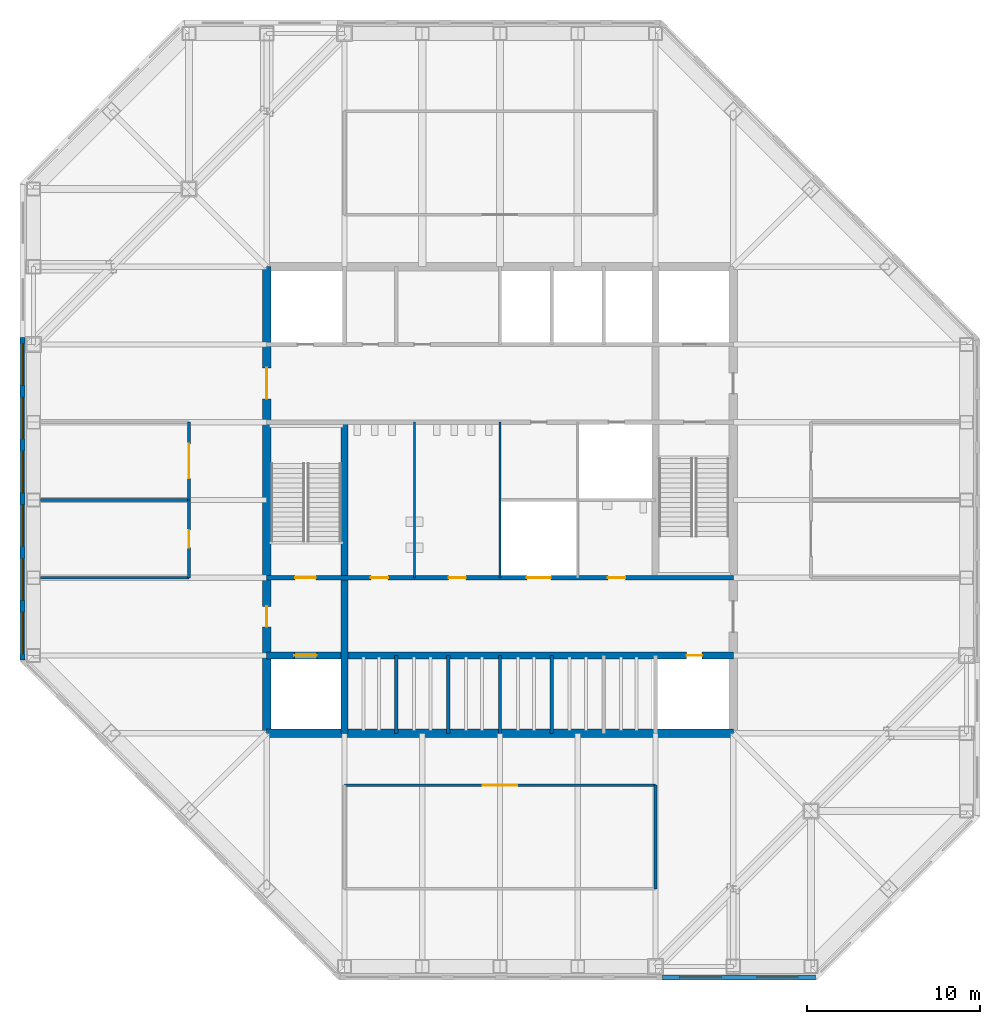
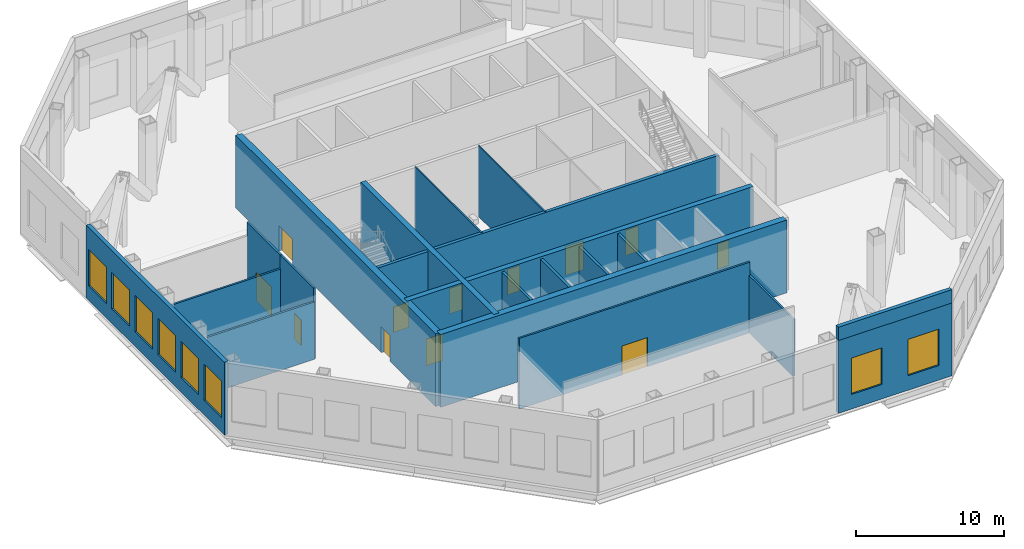
# One storey, part 5 of 10: 20 walls, 12 doors, 8 windows, 20 openings.
"""IFC4 building model written with IfcOpenShell, lengths in metres."""

from ifc_helpers import new_model, si_unit, direction, frame, frame_2d, origin, place, context, subcontext, project, spatial, rectangle, extrude, material, layer, layer_set, type_object, element, fill, save


model = new_model("IFC4")

# Units and contexts
model_context = context("Model", 3, precision=1e-05, world=origin(), true_north=direction((0.0, 1.0)))
body_context = subcontext(model_context, "Body", "Model", "MODEL_VIEW")
ifc_project = project(units=[si_unit("LENGTHUNIT", "METRE"), si_unit("AREAUNIT", "SQUARE_METRE"), si_unit("VOLUMEUNIT", "CUBIC_METRE"), si_unit("PLANEANGLEUNIT", "RADIAN"), si_unit("MASSUNIT", "GRAM", prefix="KILO")], contexts=[model_context])

# Site, building, storey
site_placement = place(None, origin())
site = spatial("IfcSite", under=ifc_project, at=site_placement, CompositionType="ELEMENT")
building_placement = place(site_placement, origin())
building = spatial("IfcBuilding", under=site, at=building_placement, Name="Corais Broadcast Tower", CompositionType="ELEMENT")
storey_placement = place(building_placement, frame((0.0, 0.0, 199.60009765625)))
storey = spatial("IfcBuildingStorey", under=building, at=storey_placement, Name="L46", CompositionType="ELEMENT", Elevation=199.60009765625)

# Wall, openings, doors
ifc_material_1 = material(Name="Concrete blockwork class A, grouted, two-hour", Category="masonry")
ifc_layer_1 = layer(ifc_material_1, 0.25)
ifc_layer_set_1 = layer_set([ifc_layer_1], Name="Concrete blockwork class A, grouted, two-hour")
wall_type_1 = type_object("IfcWallType", Name="Core lobby wall 250", PredefinedType="SOLIDWALL", material=ifc_layer_set_1)
wall_1_placement = place(storey_placement, frame((13.5, 22.5, 0.0), z_axis=(0.0, 0.0, 1.0), x_axis=(1.0, 0.0, 0.0)))
wall_1 = element("IfcWall", 1, at=wall_1_placement, inside=storey, type_object=wall_type_1, Name="CL2 core lobby wall Y225 L46", PredefinedType="SOLIDWALL", context=body_context, shape_type="SweptSolid", body=[
    extrude(rectangle(XDim=27.0, YDim=0.25, at=frame_2d((13.5, 0.0))), origin(), (0.0, 0.0, 1.0), 5.81982421875),
])
opening_1_placement = place(wall_1_placement, frame((1.64990234375, 0.0, 0.0)))
opening_1 = element("IfcOpeningElement", 2, at=opening_1_placement, cuts=wall_1, Name="Opening FD1", PredefinedType="OPENING", context=body_context, shape_type="SweptSolid", body=[
    extrude(rectangle(XDim=1.199951171875, YDim=2.10009765625, at=frame_2d((0.60009765625, 1.050048828125))), frame((0.0, 0.135009765625, 0.0), z_axis=(0.0, -1.0, 0.0), x_axis=(1.0, 0.0, 0.0)), (0.0, 0.0, 1.0), 0.27001953125),
])
opening_2_placement = place(wall_1_placement, frame((6.02490234375, 0.0, 0.0)))
opening_2 = element("IfcOpeningElement", 3, at=opening_2_placement, cuts=wall_1, Name="Opening WD1", PredefinedType="OPENING", context=body_context, shape_type="SweptSolid", body=[
    extrude(rectangle(XDim=1.0, YDim=2.10009765625, at=frame_2d((0.5, 1.050048828125))), frame((0.0, 0.135009765625, 0.0), z_axis=(0.0, -1.0, 0.0), x_axis=(1.0, 0.0, 0.0)), (0.0, 0.0, 1.0), 0.27001953125),
])
opening_3_placement = place(wall_1_placement, frame((10.52490234375, 0.0, 0.0)))
opening_3 = element("IfcOpeningElement", 4, at=opening_3_placement, cuts=wall_1, Name="Opening WD1", PredefinedType="OPENING", context=body_context, shape_type="SweptSolid", body=[
    extrude(rectangle(XDim=1.0, YDim=2.10009765625, at=frame_2d((0.5, 1.050048828125))), frame((0.0, 0.135009765625, 0.0), z_axis=(0.0, -1.0, 0.0), x_axis=(1.0, 0.0, 0.0)), (0.0, 0.0, 1.0), 0.27001953125),
])
opening_4_placement = place(wall_1_placement, frame((19.75, 0.0, 0.0)))
opening_4 = element("IfcOpeningElement", 5, at=opening_4_placement, cuts=wall_1, Name="Opening WD1", PredefinedType="OPENING", context=body_context, shape_type="SweptSolid", body=[
    extrude(rectangle(XDim=1.0, YDim=2.10009765625, at=frame_2d((0.5, 1.050048828125))), frame((0.0, 0.135009765625, 0.0), z_axis=(0.0, -1.0, 0.0), x_axis=(1.0, 0.0, 0.0)), (0.0, 0.0, 1.0), 0.27001953125),
])
opening_5_placement = place(wall_1_placement, frame((15.050048828125, 0.0, 0.0)))
opening_5 = element("IfcOpeningElement", 6, at=opening_5_placement, cuts=wall_1, Name="Opening LD3", PredefinedType="OPENING", context=body_context, shape_type="SweptSolid", body=[
    extrude(rectangle(XDim=1.39990234375, YDim=2.39990234375, at=frame_2d((0.699951171875, 1.199951171875))), frame((0.0, 0.135009765625, 0.0), z_axis=(0.0, -1.0, 0.0), x_axis=(1.0, 0.0, 0.0)), (0.0, 0.0, 1.0), 0.27001953125),
])
ifc_material_2 = material(Name="Steel fire door", Category="steel")
door_type_1 = type_object("IfcDoorType", Name="Fire door 1200x2100", OperationType="SINGLE_SWING_LEFT", PredefinedType="DOOR", material=ifc_material_2)
door_1_placement = place(opening_1_placement, origin())
door_1 = element("IfcDoor", 7, at=door_1_placement, inside=storey, type_object=door_type_1, Name="FD1 stair A door L46", OperationType="SINGLE_SWING_LEFT", OverallHeight=2.10009765625, OverallWidth=1.199951171875, PredefinedType="DOOR", context=body_context, shape_type="SweptSolid", body=[
    extrude(rectangle(XDim=1.199951171875, YDim=2.10009765625, at=frame_2d((0.60009765625, 1.050048828125))), frame((0.0, 0.02490234375, 0.0), z_axis=(0.0, -1.0, 0.0), x_axis=(1.0, 0.0, 0.0)), (0.0, 0.0, 1.0), 0.050048828125),
])
fill(opening_1, door_1)
ifc_material_3 = material(Name="Stainless steel lift door", Category="steel")
door_type_2 = type_object("IfcDoorType", Name="Service lift landing door 1400x2400", OperationType="SLIDING_TO_LEFT", PredefinedType="DOOR", material=ifc_material_3)
door_2_placement = place(opening_5_placement, origin())
door_2 = element("IfcDoor", 8, at=door_2_placement, inside=storey, type_object=door_type_2, Name="LD3 SL1 landing door L46", OperationType="SLIDING_TO_LEFT", OverallHeight=2.39990234375, OverallWidth=1.39990234375, PredefinedType="DOOR", context=body_context, shape_type="SweptSolid", body=[
    extrude(rectangle(XDim=1.39990234375, YDim=2.39990234375, at=frame_2d((0.699951171875, 1.199951171875))), frame((0.0, 0.02490234375, 0.0), z_axis=(0.0, -1.0, 0.0), x_axis=(1.0, 0.0, 0.0)), (0.0, 0.0, 1.0), 0.050048828125),
])
fill(opening_5, door_2)
ifc_material_4 = material(Name="Timber door", Category="wood")
door_type_3 = type_object("IfcDoorType", Name="Toilet door 1000x2100", OperationType="SINGLE_SWING_LEFT", PredefinedType="DOOR", material=ifc_material_4)
door_3_placement = place(opening_2_placement, origin())
door_3 = element("IfcDoor", 9, at=door_3_placement, inside=storey, type_object=door_type_3, Name="WD1 WC male door L46", OperationType="SINGLE_SWING_LEFT", OverallHeight=2.10009765625, OverallWidth=1.0, PredefinedType="DOOR", context=body_context, shape_type="SweptSolid", body=[
    extrude(rectangle(XDim=1.0, YDim=2.10009765625, at=frame_2d((0.5, 1.050048828125))), frame((0.0, 0.02490234375, 0.0), z_axis=(0.0, -1.0, 0.0), x_axis=(1.0, 0.0, 0.0)), (0.0, 0.0, 1.0), 0.050048828125),
])
fill(opening_2, door_3)
door_4_placement = place(opening_3_placement, origin())
door_4 = element("IfcDoor", 10, at=door_4_placement, inside=storey, type_object=door_type_3, Name="WD1 WC female door L46", OperationType="SINGLE_SWING_LEFT", OverallHeight=2.10009765625, OverallWidth=1.0, PredefinedType="DOOR", context=body_context, shape_type="SweptSolid", body=[
    extrude(rectangle(XDim=1.0, YDim=2.10009765625, at=frame_2d((0.5, 1.050048828125))), frame((0.0, 0.02490234375, 0.0), z_axis=(0.0, -1.0, 0.0), x_axis=(1.0, 0.0, 0.0)), (0.0, 0.0, 1.0), 0.050048828125),
])
fill(opening_3, door_4)
door_5_placement = place(opening_4_placement, origin())
door_5 = element("IfcDoor", 11, at=door_5_placement, inside=storey, type_object=door_type_3, Name="WD1 accessible WC door L46", OperationType="SINGLE_SWING_RIGHT", OverallHeight=2.10009765625, OverallWidth=1.0, PredefinedType="DOOR", context=body_context, shape_type="SweptSolid", body=[
    extrude(rectangle(XDim=1.0, YDim=2.10009765625, at=frame_2d((0.5, 1.050048828125))), frame((0.0, 0.02490234375, 0.0), z_axis=(0.0, -1.0, 0.0), x_axis=(1.0, 0.0, 0.0)), (0.0, 0.0, 1.0), 0.050048828125),
])
fill(opening_4, door_5)

# Wall
ifc_material_5 = material(Name="Concrete C50/60", Category="concrete")
ifc_layer_2 = layer(ifc_material_5, 0.39990234375)
ifc_layer_set_2 = layer_set([ifc_layer_2], Name="Concrete C50/60")
wall_type_2 = type_object("IfcWallType", Name="Core wall 400", PredefinedType="SHEAR", material=ifc_layer_set_2)
wall_2_placement = place(storey_placement, frame((18.0, 13.5, 0.0), z_axis=(0.0, 0.0, 1.0), x_axis=(0.0, 1.0, 0.0)))
element("IfcWall", 12, at=wall_2_placement, inside=storey, type_object=wall_type_2, Name="CR400 core wall X18A L46", PredefinedType="SHEAR", context=body_context, shape_type="SweptSolid", body=[
    extrude(rectangle(XDim=18.0, YDim=0.39990234375, at=frame_2d((9.0, 0.0))), origin(), (0.0, 0.0, 1.0), 6.0),
])

# Wall, openings, doors
wall_3_placement = place(storey_placement, frame((13.5, 18.0, 0.0), z_axis=(0.0, 0.0, 1.0), x_axis=(1.0, 0.0, 0.0)))
wall_3 = element("IfcWall", 13, at=wall_3_placement, inside=storey, type_object=wall_type_2, Name="CR400 core wall Y18 L46", PredefinedType="SHEAR", context=body_context, shape_type="SweptSolid", body=[
    extrude(rectangle(XDim=27.0, YDim=0.39990234375, at=frame_2d((13.5, 0.0))), origin(), (0.0, 0.0, 1.0), 6.0),
])
opening_6_placement = place(wall_3_placement, frame((24.300048828125, 0.0, 0.0)))
opening_6 = element("IfcOpeningElement", 14, at=opening_6_placement, cuts=wall_3, Name="Opening RD1", PredefinedType="OPENING", context=body_context, shape_type="SweptSolid", body=[
    extrude(rectangle(XDim=0.89990234375, YDim=2.10009765625, at=frame_2d((0.449951171875, 1.050048828125))), frame((0.0, 0.2099609375, 0.0), z_axis=(0.0, -1.0, 0.0), x_axis=(1.0, 0.0, 0.0)), (0.0, 0.0, 1.0), 0.419921875),
])
opening_7_placement = place(wall_3_placement, frame((1.60009765625, 0.0, 0.0)))
opening_7 = element("IfcOpeningElement", 15, at=opening_7_placement, cuts=wall_3, Name="Opening LD2", PredefinedType="OPENING", context=body_context, shape_type="SweptSolid", body=[
    extrude(rectangle(XDim=1.300048828125, YDim=2.199951171875, at=frame_2d((0.64990234375, 1.10009765625))), frame((0.0, 0.2099609375, 0.0), z_axis=(0.0, -1.0, 0.0), x_axis=(1.0, 0.0, 0.0)), (0.0, 0.0, 1.0), 0.419921875),
])
ifc_material_6 = material(Name="Stainless steel lift door", Category="steel")
door_type_4 = type_object("IfcDoorType", Name="Lift landing door 1300x2200", OperationType="SLIDING_TO_LEFT", PredefinedType="DOOR", material=ifc_material_6)
door_6_placement = place(opening_7_placement, origin())
door_6 = element("IfcDoor", 16, at=door_6_placement, inside=storey, type_object=door_type_4, Name="LD2 FL1 landing door L46", OperationType="SLIDING_TO_LEFT", OverallHeight=2.199951171875, OverallWidth=1.300048828125, PredefinedType="DOOR", context=body_context, shape_type="SweptSolid", body=[
    extrude(rectangle(XDim=1.300048828125, YDim=2.199951171875, at=frame_2d((0.64990234375, 1.10009765625))), frame((0.0, 0.02490234375, 0.0), z_axis=(0.0, -1.0, 0.0), x_axis=(1.0, 0.0, 0.0)), (0.0, 0.0, 1.0), 0.050048828125),
])
fill(opening_7, door_6)
ifc_material_7 = material(Name="Steel fire door", Category="steel")
door_type_5 = type_object("IfcDoorType", Name="Riser door 900x2100", OperationType="SINGLE_SWING_LEFT", PredefinedType="DOOR", material=ifc_material_7)
door_7_placement = place(opening_6_placement, origin())
door_7 = element("IfcDoor", 17, at=door_7_placement, inside=storey, type_object=door_type_5, Name="RD1 riser door L46", OperationType="SINGLE_SWING_RIGHT", OverallHeight=2.10009765625, OverallWidth=0.89990234375, PredefinedType="DOOR", context=body_context, shape_type="SweptSolid", body=[
    extrude(rectangle(XDim=0.89990234375, YDim=2.10009765625, at=frame_2d((0.449951171875, 1.050048828125))), frame((0.0, 0.02490234375, 0.0), z_axis=(0.0, -1.0, 0.0), x_axis=(1.0, 0.0, 0.0)), (0.0, 0.0, 1.0), 0.050048828125),
])
fill(opening_6, door_7)

# Wall
ifc_material_8 = material(Name="Concrete C50/60", Category="concrete")
ifc_layer_3 = layer(ifc_material_8, 0.5)
ifc_layer_set_3 = layer_set([ifc_layer_3], Name="Concrete C50/60")
wall_type_3 = type_object("IfcWallType", Name="Core wall 500", PredefinedType="SHEAR", material=ifc_layer_set_3)
wall_4_placement = place(storey_placement, frame((13.5, 13.5, 0.0), z_axis=(0.0, 0.0, 1.0), x_axis=(1.0, 0.0, 0.0)))
element("IfcWall", 18, at=wall_4_placement, inside=storey, type_object=wall_type_3, Name="CR500 core wall S L46", PredefinedType="SHEAR", context=body_context, shape_type="SweptSolid", body=[
    extrude(rectangle(XDim=27.0, YDim=0.5, at=frame_2d((13.5, 0.0))), origin(), (0.0, 0.0, 1.0), 6.0),
])

# Wall, openings, doors
wall_5_placement = place(storey_placement, frame((13.5, 40.5, 0.0), z_axis=(0.0, 0.0, 1.0), x_axis=(0.0, -1.0, 0.0)))
wall_5 = element("IfcWall", 19, at=wall_5_placement, inside=storey, type_object=wall_type_3, Name="CR500 core wall W L46", PredefinedType="SHEAR", context=body_context, shape_type="SweptSolid", body=[
    extrude(rectangle(XDim=27.0, YDim=0.5, at=frame_2d((13.5, 0.0))), origin(), (0.0, 0.0, 1.0), 6.0),
])
opening_8_placement = place(wall_5_placement, frame((19.64990234375, 0.0, 0.0)))
opening_8 = element("IfcOpeningElement", 20, at=opening_8_placement, cuts=wall_5, Name="Opening FD1", PredefinedType="OPENING", context=body_context, shape_type="SweptSolid", body=[
    extrude(rectangle(XDim=1.199951171875, YDim=2.10009765625, at=frame_2d((0.60009765625, 1.050048828125))), frame((0.0, 0.260009765625, 0.0), z_axis=(0.0, -1.0, 0.0), x_axis=(1.0, 0.0, 0.0)), (0.0, 0.0, 1.0), 0.52001953125),
])
opening_9_placement = place(wall_5_placement, frame((5.85009765625, 0.0, 0.0)))
opening_9 = element("IfcOpeningElement", 21, at=opening_9_placement, cuts=wall_5, Name="Opening FD2", PredefinedType="OPENING", context=body_context, shape_type="SweptSolid", body=[
    extrude(rectangle(XDim=1.800048828125, YDim=2.10009765625, at=frame_2d((0.89990234375, 1.050048828125))), frame((0.0, 0.260009765625, 0.0), z_axis=(0.0, -1.0, 0.0), x_axis=(1.0, 0.0, 0.0)), (0.0, 0.0, 1.0), 0.52001953125),
])
door_8_placement = place(opening_8_placement, origin())
door_8 = element("IfcDoor", 22, at=door_8_placement, inside=storey, type_object=door_type_1, Name="FD1 fire lobby A door L46", OperationType="SINGLE_SWING_RIGHT", OverallHeight=2.10009765625, OverallWidth=1.199951171875, PredefinedType="DOOR", context=body_context, shape_type="SweptSolid", body=[
    extrude(rectangle(XDim=1.199951171875, YDim=2.10009765625, at=frame_2d((0.60009765625, 1.050048828125))), frame((0.0, 0.02490234375, 0.0), z_axis=(0.0, -1.0, 0.0), x_axis=(1.0, 0.0, 0.0)), (0.0, 0.0, 1.0), 0.050048828125),
])
fill(opening_8, door_8)
ifc_material_9 = material(Name="Steel fire door", Category="steel")
door_type_6 = type_object("IfcDoorType", Name="Fire door pair 1800x2100", OperationType="DOUBLE_DOOR_SINGLE_SWING", PredefinedType="DOOR", material=ifc_material_9)
door_9_placement = place(opening_9_placement, origin())
door_9 = element("IfcDoor", 23, at=door_9_placement, inside=storey, type_object=door_type_6, Name="FD2 lift lobby door L46", OperationType="SINGLE_SWING_LEFT", OverallHeight=2.10009765625, OverallWidth=1.800048828125, PredefinedType="DOOR", context=body_context, shape_type="SweptSolid", body=[
    extrude(rectangle(XDim=1.800048828125, YDim=2.10009765625, at=frame_2d((0.89990234375, 1.050048828125))), frame((0.0, 0.02490234375, 0.0), z_axis=(0.0, -1.0, 0.0), x_axis=(1.0, 0.0, 0.0)), (0.0, 0.0, 1.0), 0.050048828125),
])
fill(opening_9, door_9)

# Wall
ifc_material_10 = material(Name="Two layers of fire-rated gypsum board each side on steel studs", Category="steel")
ifc_layer_4 = layer(ifc_material_10, 0.14990234375)
ifc_layer_set_4 = layer_set([ifc_layer_4], Name="Two layers of fire-rated gypsum board each side on steel studs")
wall_type_4 = type_object("IfcWallType", Name="Fire-rated partition 150 EI 60", PredefinedType="PARTITIONING", material=ifc_layer_set_4)
wall_6_placement = place(storey_placement, frame((36.0, 4.5, 0.0), z_axis=(0.0, 0.0, 1.0), x_axis=(0.0, 1.0, 0.0)))
element("IfcWall", 24, at=wall_6_placement, inside=storey, type_object=wall_type_4, Name="IW7 partition L46", PredefinedType="PARTITIONING", context=body_context, shape_type="SweptSolid", body=[
    extrude(rectangle(XDim=6.0, YDim=0.14990234375, at=frame_2d((3.0, 0.0))), origin(), (0.0, 0.0, 1.0), 4.719970703125),
])

# Wall, opening, door
wall_7_placement = place(storey_placement, frame((36.0, 10.5, 0.0), z_axis=(0.0, 0.0, 1.0), x_axis=(-1.0, 0.0, 0.0)))
wall_7 = element("IfcWall", 25, at=wall_7_placement, inside=storey, type_object=wall_type_4, Name="IW7 partition L46", PredefinedType="PARTITIONING", context=body_context, shape_type="SweptSolid", body=[
    extrude(rectangle(XDim=18.0, YDim=0.14990234375, at=frame_2d((9.0, 0.0))), origin(), (0.0, 0.0, 1.0), 5.81982421875),
])
opening_10_placement = place(wall_7_placement, frame((8.0, 0.0, 0.0)))
opening_10 = element("IfcOpeningElement", 26, at=opening_10_placement, cuts=wall_7, Name="Opening D4", PredefinedType="OPENING", context=body_context, shape_type="SweptSolid", body=[
    extrude(rectangle(XDim=2.0, YDim=2.39990234375, at=frame_2d((1.0, 1.199951171875))), frame((0.0, 0.0849609375, 0.0), z_axis=(0.0, -1.0, 0.0), x_axis=(1.0, 0.0, 0.0)), (0.0, 0.0, 1.0), 0.169921875),
])
ifc_material_11 = material(Name="Steel door", Category="steel")
door_type_7 = type_object("IfcDoorType", Name="Plant room door pair 2000x2400", OperationType="DOUBLE_DOOR_SINGLE_SWING", PredefinedType="DOOR", material=ifc_material_11)
door_10_placement = place(opening_10_placement, origin())
door_10 = element("IfcDoor", 27, at=door_10_placement, inside=storey, type_object=door_type_7, Name="D4 Plant room door", OperationType="SINGLE_SWING_LEFT", OverallHeight=2.39990234375, OverallWidth=2.0, PredefinedType="DOOR", context=body_context, shape_type="SweptSolid", body=[
    extrude(rectangle(XDim=2.0, YDim=2.39990234375, at=frame_2d((1.0, 1.199951171875))), frame((0.0, 0.02490234375, 0.0), z_axis=(0.0, -1.0, 0.0), x_axis=(1.0, 0.0, 0.0)), (0.0, 0.0, 1.0), 0.050048828125),
])
fill(opening_10, door_10)

# Wall
wall_8_placement = place(storey_placement, frame((0.409912109375, 27.0, 0.0), z_axis=(0.0, 0.0, 1.0), x_axis=(1.0, 0.0, 0.0)))
element("IfcWall", 28, at=wall_8_placement, inside=storey, type_object=wall_type_4, Name="IW7 partition L46", PredefinedType="PARTITIONING", context=body_context, shape_type="SweptSolid", body=[
    extrude(rectangle(XDim=8.590087890625, YDim=0.14990234375, at=frame_2d((4.294921875, 0.0))), origin(), (0.0, 0.0, 1.0), 4.719970703125),
])

# Wall, opening, door
wall_9_placement = place(storey_placement, frame((9.0, 27.0, 0.0), z_axis=(0.0, 0.0, 1.0), x_axis=(0.0, 1.0, 0.0)))
wall_9 = element("IfcWall", 29, at=wall_9_placement, inside=storey, type_object=wall_type_4, Name="IW7 partition L46", PredefinedType="PARTITIONING", context=body_context, shape_type="SweptSolid", body=[
    extrude(rectangle(XDim=4.5, YDim=0.14990234375, at=frame_2d((2.25, 0.0))), origin(), (0.0, 0.0, 1.0), 5.81982421875),
])
opening_11_placement = place(wall_9_placement, frame((1.25, 0.0, 0.0)))
opening_11 = element("IfcOpeningElement", 30, at=opening_11_placement, cuts=wall_9, Name="Opening D4", PredefinedType="OPENING", context=body_context, shape_type="SweptSolid", body=[
    extrude(rectangle(XDim=2.0, YDim=2.39990234375, at=frame_2d((1.0, 1.199951171875))), frame((0.0, 0.0849609375, 0.0), z_axis=(0.0, -1.0, 0.0), x_axis=(1.0, 0.0, 0.0)), (0.0, 0.0, 1.0), 0.169921875),
])
door_11_placement = place(opening_11_placement, origin())
door_11 = element("IfcDoor", 31, at=door_11_placement, inside=storey, type_object=door_type_7, Name="D4 Air handling plant room door", OperationType="SINGLE_SWING_LEFT", OverallHeight=2.39990234375, OverallWidth=2.0, PredefinedType="DOOR", context=body_context, shape_type="SweptSolid", body=[
    extrude(rectangle(XDim=2.0, YDim=2.39990234375, at=frame_2d((1.0, 1.199951171875))), frame((0.0, 0.02490234375, 0.0), z_axis=(0.0, -1.0, 0.0), x_axis=(1.0, 0.0, 0.0)), (0.0, 0.0, 1.0), 0.050048828125),
])
fill(opening_11, door_11)

# Walls
ifc_material_12 = material(Name="Precast concrete C40/50", Category="concrete")
ifc_layer_5 = layer(ifc_material_12, 0.300048828125)
ifc_layer_set_5 = layer_set([ifc_layer_5], Name="Precast concrete C40/50")
wall_type_5 = type_object("IfcWallType", Name="Parapet wall 300", PredefinedType="PARAPET", material=ifc_layer_set_5)
wall_10_placement = place(storey_placement, frame((45.260986328125, -0.6298828125, 6.0), z_axis=(0.0, 0.0, 1.0), x_axis=(-1.0, 0.0, 0.0)))
element("IfcWall", 32, at=wall_10_placement, inside=storey, type_object=wall_type_5, Name="PW1 parapet L46", PredefinedType="PARAPET", context=body_context, shape_type="SweptSolid", body=[
    extrude(rectangle(XDim=8.858642578125, YDim=0.300048828125, at=frame_2d((4.42919921875, 0.0))), origin(), (0.0, 0.0, 1.0), 1.099853515625),
])
ifc_material_13 = material(Name="Gypsum board on steel studs", Category="steel")
ifc_layer_6 = layer(ifc_material_13, 0.14990234375)
ifc_layer_set_6 = layer_set([ifc_layer_6], Name="Gypsum board on steel studs")
wall_type_6 = type_object("IfcWallType", Name="Partition 150", PredefinedType="PARTITIONING", material=ifc_layer_set_6)
wall_11_placement = place(storey_placement, frame((0.409912109375, 22.5, 0.0), z_axis=(0.0, 0.0, 1.0), x_axis=(1.0, 0.0, 0.0)))
element("IfcWall", 33, at=wall_11_placement, inside=storey, type_object=wall_type_6, Name="IW3 partition L46", PredefinedType="PARTITIONING", context=body_context, shape_type="SweptSolid", body=[
    extrude(rectangle(XDim=8.590087890625, YDim=0.14990234375, at=frame_2d((4.294921875, 0.0))), origin(), (0.0, 0.0, 1.0), 4.719970703125),
])

# Wall, opening, door
wall_12_placement = place(storey_placement, frame((9.0, 22.5, 0.0), z_axis=(0.0, 0.0, 1.0), x_axis=(0.0, 1.0, 0.0)))
wall_12 = element("IfcWall", 34, at=wall_12_placement, inside=storey, type_object=wall_type_6, Name="IW3 partition L46", PredefinedType="PARTITIONING", context=body_context, shape_type="SweptSolid", body=[
    extrude(rectangle(XDim=4.5, YDim=0.14990234375, at=frame_2d((2.25, 0.0))), origin(), (0.0, 0.0, 1.0), 5.81982421875),
])
opening_12_placement = place(wall_12_placement, frame((1.75, 0.0, 0.0)))
opening_12 = element("IfcOpeningElement", 35, at=opening_12_placement, cuts=wall_12, Name="Opening D1", PredefinedType="OPENING", context=body_context, shape_type="SweptSolid", body=[
    extrude(rectangle(XDim=1.0, YDim=2.10009765625, at=frame_2d((0.5, 1.050048828125))), frame((0.0, 0.0849609375, 0.0), z_axis=(0.0, -1.0, 0.0), x_axis=(1.0, 0.0, 0.0)), (0.0, 0.0, 1.0), 0.169921875),
])
ifc_material_14 = material(Name="Timber door", Category="wood")
door_type_8 = type_object("IfcDoorType", Name="Single door 1000x2100", OperationType="SINGLE_SWING_LEFT", PredefinedType="DOOR", material=ifc_material_14)
door_12_placement = place(opening_12_placement, origin())
door_12 = element("IfcDoor", 36, at=door_12_placement, inside=storey, type_object=door_type_8, Name="D1 Refuge area west door", OperationType="SINGLE_SWING_LEFT", OverallHeight=2.10009765625, OverallWidth=1.0, PredefinedType="DOOR", context=body_context, shape_type="SweptSolid", body=[
    extrude(rectangle(XDim=1.0, YDim=2.10009765625, at=frame_2d((0.5, 1.050048828125))), frame((0.0, 0.02490234375, 0.0), z_axis=(0.0, -1.0, 0.0), x_axis=(1.0, 0.0, 0.0)), (0.0, 0.0, 1.0), 0.050048828125),
])
fill(opening_12, door_12)

# Walls
ifc_material_15 = material(Name="Concrete blockwork class A, grouted, two-hour", Category="masonry")
ifc_layer_7 = layer(ifc_material_15, 0.199951171875)
ifc_layer_set_7 = layer_set([ifc_layer_7], Name="Concrete blockwork class A, grouted, two-hour")
wall_type_7 = type_object("IfcWallType", Name="Shaft wall 200", PredefinedType="PARTITIONING", material=ifc_layer_set_7)
for number, where, z_axis, x_axis, name in (
    (37, (21.0, 13.5, 0.0), (0.0, 0.0, 1.0), (0.0, 1.0, 0.0), "IW1 shaft wall L46"),
    (38, (24.0, 13.5, 0.0), (0.0, 0.0, 1.0), (0.0, 1.0, 0.0), "IW1 shaft wall L46"),
    (39, (27.0, 13.5, 0.0), (0.0, 0.0, 1.0), (0.0, 1.0, 0.0), "IW1 shaft wall L46"),
    (40, (30.0, 13.5, 0.0), (0.0, 0.0, 1.0), (0.0, 1.0, 0.0), "IW1 shaft wall L46"),
):
    element("IfcWall", number, at=place(storey_placement, frame(where, z_axis=z_axis, x_axis=x_axis)), inside=storey, type_object=wall_type_7, Name=name, PredefinedType="PARTITIONING", context=body_context, shape_type="SweptSolid", body=[
        extrude(rectangle(XDim=4.5, YDim=0.199951171875, at=frame_2d((2.25, 0.0))), origin(), (0.0, 0.0, 1.0), 5.81982421875),
    ])

# Wall, openings, windows
ifc_material_16 = material(Name="Precast concrete C40/50", Category="concrete")
ifc_layer_8 = layer(ifc_material_16, 0.300048828125)
ifc_layer_set_8 = layer_set([ifc_layer_8], Name="Precast concrete C40/50")
wall_type_8 = type_object("IfcWallType", Name="Stone-faced precast wall 300", PredefinedType="SOLIDWALL", material=ifc_layer_set_8)
wall_13_placement = place(storey_placement, frame((-0.6298828125, 17.739013671875, 0.0), z_axis=(0.0, 0.0, 1.0), x_axis=(0.0, 1.0, 0.0)))
wall_13 = element("IfcWall", 41, at=wall_13_placement, inside=storey, type_object=wall_type_8, Name="EW1 external wall L46 2", PredefinedType="SOLIDWALL", context=body_context, shape_type="SweptSolid", body=[
    extrude(rectangle(XDim=18.663330078125, YDim=0.300048828125, at=frame_2d((9.33154296875, 0.0))), origin(), (0.0, 0.0, 1.0), 6.0),
])
opening_13_placement = place(wall_13_placement, frame((0.355224609375, 0.0, 1.199951171875)))
opening_13 = element("IfcOpeningElement", 42, at=opening_13_placement, cuts=wall_13, Name="Opening LV1", PredefinedType="OPENING", context=body_context, shape_type="SweptSolid", body=[
    extrude(rectangle(XDim=2.39990234375, YDim=3.0, at=frame_2d((1.199951171875, 1.5))), frame((0.0, 0.159912109375, 0.0), z_axis=(0.0, -1.0, 0.0), x_axis=(1.0, 0.0, 0.0)), (0.0, 0.0, 1.0), 0.320068359375),
])
opening_14_placement = place(wall_13_placement, frame((3.4658203125, 0.0, 1.199951171875)))
opening_14 = element("IfcOpeningElement", 43, at=opening_14_placement, cuts=wall_13, Name="Opening LV1", PredefinedType="OPENING", context=body_context, shape_type="SweptSolid", body=[
    extrude(rectangle(XDim=2.39990234375, YDim=3.0, at=frame_2d((1.199951171875, 1.5))), frame((0.0, 0.159912109375, 0.0), z_axis=(0.0, -1.0, 0.0), x_axis=(1.0, 0.0, 0.0)), (0.0, 0.0, 1.0), 0.320068359375),
])
opening_15_placement = place(wall_13_placement, frame((6.576416015625, 0.0, 1.199951171875)))
opening_15 = element("IfcOpeningElement", 44, at=opening_15_placement, cuts=wall_13, Name="Opening LV1", PredefinedType="OPENING", context=body_context, shape_type="SweptSolid", body=[
    extrude(rectangle(XDim=2.39990234375, YDim=3.0, at=frame_2d((1.199951171875, 1.5))), frame((0.0, 0.159912109375, 0.0), z_axis=(0.0, -1.0, 0.0), x_axis=(1.0, 0.0, 0.0)), (0.0, 0.0, 1.0), 0.320068359375),
])
opening_16_placement = place(wall_13_placement, frame((9.68701171875, 0.0, 1.199951171875)))
opening_16 = element("IfcOpeningElement", 45, at=opening_16_placement, cuts=wall_13, Name="Opening LV1", PredefinedType="OPENING", context=body_context, shape_type="SweptSolid", body=[
    extrude(rectangle(XDim=2.39990234375, YDim=3.0, at=frame_2d((1.199951171875, 1.5))), frame((0.0, 0.159912109375, 0.0), z_axis=(0.0, -1.0, 0.0), x_axis=(1.0, 0.0, 0.0)), (0.0, 0.0, 1.0), 0.320068359375),
])
opening_17_placement = place(wall_13_placement, frame((12.797607421875, 0.0, 1.199951171875)))
opening_17 = element("IfcOpeningElement", 46, at=opening_17_placement, cuts=wall_13, Name="Opening LV1", PredefinedType="OPENING", context=body_context, shape_type="SweptSolid", body=[
    extrude(rectangle(XDim=2.39990234375, YDim=3.0, at=frame_2d((1.199951171875, 1.5))), frame((0.0, 0.159912109375, 0.0), z_axis=(0.0, -1.0, 0.0), x_axis=(1.0, 0.0, 0.0)), (0.0, 0.0, 1.0), 0.320068359375),
])
opening_18_placement = place(wall_13_placement, frame((15.908203125, 0.0, 1.199951171875)))
opening_18 = element("IfcOpeningElement", 47, at=opening_18_placement, cuts=wall_13, Name="Opening LV1", PredefinedType="OPENING", context=body_context, shape_type="SweptSolid", body=[
    extrude(rectangle(XDim=2.39990234375, YDim=3.0, at=frame_2d((1.199951171875, 1.5))), frame((0.0, 0.159912109375, 0.0), z_axis=(0.0, -1.0, 0.0), x_axis=(1.0, 0.0, 0.0)), (0.0, 0.0, 1.0), 0.320068359375),
])
ifc_material_17 = material(Name="Aluminium frame", Category="aluminium")
window_type = type_object("IfcWindowType", Name="Plant louvre 2400x3000", PartitioningType="SINGLE_PANEL", PredefinedType="USERDEFINED", material=ifc_material_17)
window_1_placement = place(opening_13_placement, origin())
window_1 = element("IfcWindow", 48, at=window_1_placement, inside=storey, type_object=window_type, Name="LV1 window L46", ObjectType="LOUVRE", OverallHeight=3.0, OverallWidth=2.39990234375, PartitioningType="SINGLE_PANEL", PredefinedType="USERDEFINED", context=body_context, shape_type="SweptSolid", body=[
    extrude(rectangle(XDim=2.39990234375, YDim=3.0, at=frame_2d((1.199951171875, 1.5))), frame((0.0, 0.030029296875, 0.0), z_axis=(0.0, -1.0, 0.0), x_axis=(1.0, 0.0, 0.0)), (0.0, 0.0, 1.0), 0.06005859375),
])
fill(opening_13, window_1)
window_2_placement = place(opening_14_placement, origin())
window_2 = element("IfcWindow", 49, at=window_2_placement, inside=storey, type_object=window_type, Name="LV1 window L46", ObjectType="LOUVRE", OverallHeight=3.0, OverallWidth=2.39990234375, PartitioningType="SINGLE_PANEL", PredefinedType="USERDEFINED", context=body_context, shape_type="SweptSolid", body=[
    extrude(rectangle(XDim=2.39990234375, YDim=3.0, at=frame_2d((1.199951171875, 1.5))), frame((0.0, 0.030029296875, 0.0), z_axis=(0.0, -1.0, 0.0), x_axis=(1.0, 0.0, 0.0)), (0.0, 0.0, 1.0), 0.06005859375),
])
fill(opening_14, window_2)
window_3_placement = place(opening_15_placement, origin())
window_3 = element("IfcWindow", 50, at=window_3_placement, inside=storey, type_object=window_type, Name="LV1 window L46", ObjectType="LOUVRE", OverallHeight=3.0, OverallWidth=2.39990234375, PartitioningType="SINGLE_PANEL", PredefinedType="USERDEFINED", context=body_context, shape_type="SweptSolid", body=[
    extrude(rectangle(XDim=2.39990234375, YDim=3.0, at=frame_2d((1.199951171875, 1.5))), frame((0.0, 0.030029296875, 0.0), z_axis=(0.0, -1.0, 0.0), x_axis=(1.0, 0.0, 0.0)), (0.0, 0.0, 1.0), 0.06005859375),
])
fill(opening_15, window_3)
window_4_placement = place(opening_16_placement, origin())
window_4 = element("IfcWindow", 51, at=window_4_placement, inside=storey, type_object=window_type, Name="LV1 window L46", ObjectType="LOUVRE", OverallHeight=3.0, OverallWidth=2.39990234375, PartitioningType="SINGLE_PANEL", PredefinedType="USERDEFINED", context=body_context, shape_type="SweptSolid", body=[
    extrude(rectangle(XDim=2.39990234375, YDim=3.0, at=frame_2d((1.199951171875, 1.5))), frame((0.0, 0.030029296875, 0.0), z_axis=(0.0, -1.0, 0.0), x_axis=(1.0, 0.0, 0.0)), (0.0, 0.0, 1.0), 0.06005859375),
])
fill(opening_16, window_4)
window_5_placement = place(opening_17_placement, origin())
window_5 = element("IfcWindow", 52, at=window_5_placement, inside=storey, type_object=window_type, Name="LV1 window L46", ObjectType="LOUVRE", OverallHeight=3.0, OverallWidth=2.39990234375, PartitioningType="SINGLE_PANEL", PredefinedType="USERDEFINED", context=body_context, shape_type="SweptSolid", body=[
    extrude(rectangle(XDim=2.39990234375, YDim=3.0, at=frame_2d((1.199951171875, 1.5))), frame((0.0, 0.030029296875, 0.0), z_axis=(0.0, -1.0, 0.0), x_axis=(1.0, 0.0, 0.0)), (0.0, 0.0, 1.0), 0.06005859375),
])
fill(opening_17, window_5)
window_6_placement = place(opening_18_placement, origin())
window_6 = element("IfcWindow", 53, at=window_6_placement, inside=storey, type_object=window_type, Name="LV1 window L46", ObjectType="LOUVRE", OverallHeight=3.0, OverallWidth=2.39990234375, PartitioningType="SINGLE_PANEL", PredefinedType="USERDEFINED", context=body_context, shape_type="SweptSolid", body=[
    extrude(rectangle(XDim=2.39990234375, YDim=3.0, at=frame_2d((1.199951171875, 1.5))), frame((0.0, 0.030029296875, 0.0), z_axis=(0.0, -1.0, 0.0), x_axis=(1.0, 0.0, 0.0)), (0.0, 0.0, 1.0), 0.06005859375),
])
fill(opening_18, window_6)

wall_14_placement = place(storey_placement, frame((45.260986328125, -0.6298828125, 0.0), z_axis=(0.0, 0.0, 1.0), x_axis=(-1.0, 0.0, 0.0)))
wall_14 = element("IfcWall", 54, at=wall_14_placement, inside=storey, type_object=wall_type_8, Name="EW1 external wall L46 8", PredefinedType="SOLIDWALL", context=body_context, shape_type="SweptSolid", body=[
    extrude(rectangle(XDim=8.858642578125, YDim=0.300048828125, at=frame_2d((4.42919921875, 0.0))), origin(), (0.0, 0.0, 1.0), 6.0),
])
opening_19_placement = place(wall_14_placement, frame((1.0146484375, 0.0, 1.199951171875)))
opening_19 = element("IfcOpeningElement", 55, at=opening_19_placement, cuts=wall_14, Name="Opening LV1", PredefinedType="OPENING", context=body_context, shape_type="SweptSolid", body=[
    extrude(rectangle(XDim=2.39990234375, YDim=3.0, at=frame_2d((1.199951171875, 1.5))), frame((0.0, 0.159912109375, 0.0), z_axis=(0.0, -1.0, 0.0), x_axis=(1.0, 0.0, 0.0)), (0.0, 0.0, 1.0), 0.320068359375),
])
opening_20_placement = place(wall_14_placement, frame((5.44384765625, 0.0, 1.199951171875)))
opening_20 = element("IfcOpeningElement", 56, at=opening_20_placement, cuts=wall_14, Name="Opening LV1", PredefinedType="OPENING", context=body_context, shape_type="SweptSolid", body=[
    extrude(rectangle(XDim=2.39990234375, YDim=3.0, at=frame_2d((1.199951171875, 1.5))), frame((0.0, 0.159912109375, 0.0), z_axis=(0.0, -1.0, 0.0), x_axis=(1.0, 0.0, 0.0)), (0.0, 0.0, 1.0), 0.320068359375),
])
window_7_placement = place(opening_19_placement, origin())
window_7 = element("IfcWindow", 57, at=window_7_placement, inside=storey, type_object=window_type, Name="LV1 window L46", ObjectType="LOUVRE", OverallHeight=3.0, OverallWidth=2.39990234375, PartitioningType="SINGLE_PANEL", PredefinedType="USERDEFINED", context=body_context, shape_type="SweptSolid", body=[
    extrude(rectangle(XDim=2.39990234375, YDim=3.0, at=frame_2d((1.199951171875, 1.5))), frame((0.0, 0.030029296875, 0.0), z_axis=(0.0, -1.0, 0.0), x_axis=(1.0, 0.0, 0.0)), (0.0, 0.0, 1.0), 0.06005859375),
])
fill(opening_19, window_7)
window_8_placement = place(opening_20_placement, origin())
window_8 = element("IfcWindow", 58, at=window_8_placement, inside=storey, type_object=window_type, Name="LV1 window L46", ObjectType="LOUVRE", OverallHeight=3.0, OverallWidth=2.39990234375, PartitioningType="SINGLE_PANEL", PredefinedType="USERDEFINED", context=body_context, shape_type="SweptSolid", body=[
    extrude(rectangle(XDim=2.39990234375, YDim=3.0, at=frame_2d((1.199951171875, 1.5))), frame((0.0, 0.030029296875, 0.0), z_axis=(0.0, -1.0, 0.0), x_axis=(1.0, 0.0, 0.0)), (0.0, 0.0, 1.0), 0.06005859375),
])
fill(opening_20, window_8)

# Walls
ifc_material_18 = material(Name="Dense concrete blockwork class A, tiled both faces", Category="masonry")
ifc_layer_9 = layer(ifc_material_18, 0.10009765625)
ifc_layer_set_9 = layer_set([ifc_layer_9], Name="Dense concrete blockwork class A, tiled both faces")
wall_type_9 = type_object("IfcWallType", Name="Toilet wall 100", PredefinedType="PLUMBINGWALL", material=ifc_layer_set_9)
for number, where, z_axis, x_axis, name in (
    (59, (22.050048828125, 22.5, 0.0), (0.0, 0.0, 1.0), (0.0, 1.0, 0.0), "IW2 toilet wall L46"),
    (60, (27.0, 22.5, 0.0), (0.0, 0.0, 1.0), (0.0, 1.0, 0.0), "IW2 toilet wall L46"),
):
    element("IfcWall", number, at=place(storey_placement, frame(where, z_axis=z_axis, x_axis=x_axis)), inside=storey, type_object=wall_type_9, Name=name, PredefinedType="PLUMBINGWALL", context=body_context, shape_type="SweptSolid", body=[
        extrude(rectangle(XDim=9.0, YDim=0.10009765625, at=frame_2d((4.5, 0.0))), origin(), (0.0, 0.0, 1.0), 5.81982421875),
    ])

save(model, "model.ifc")
